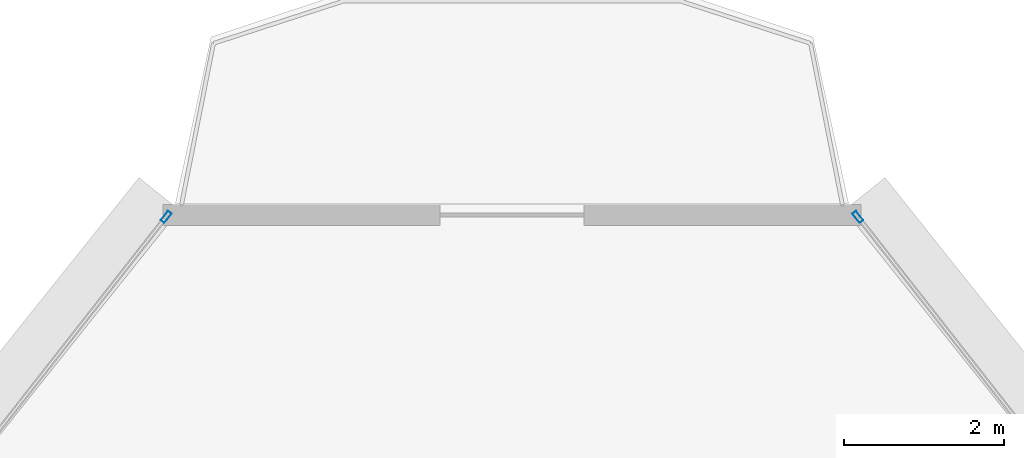
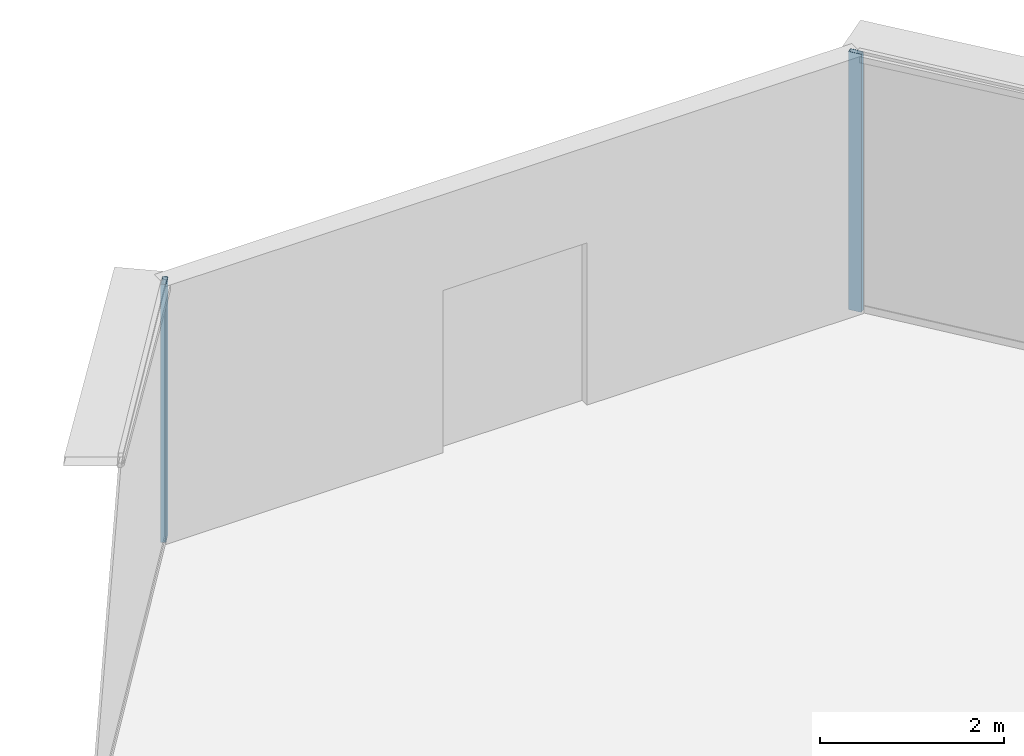
# One storey, part 29 of 40: 2 members, 2 elements without a shape of their own.
"""IFC4 building model written with IfcOpenShell, lengths in metres."""

from ifc_helpers import new_model, si_unit, direction, frame, origin, origin_2d, place, context, subcontext, project, spatial, hollow_rectangle, extrude, source, transform, mapped, material, layer, layer_set, material_profile, profile_set, type_object, element, aggregate, save


model = new_model("IFC4")

# Units and contexts
model_context = context("Model", 3, precision=1e-05, world=origin(), true_north=direction((0.0, 1.0)))
body_context = subcontext(model_context, "Body", "Model", "MODEL_VIEW")
ifc_project = project(units=[si_unit("LENGTHUNIT", "METRE"), si_unit("AREAUNIT", "SQUARE_METRE"), si_unit("VOLUMEUNIT", "CUBIC_METRE"), si_unit("PLANEANGLEUNIT", "RADIAN"), si_unit("MASSUNIT", "GRAM", prefix="KILO"), si_unit("THERMODYNAMICTEMPERATUREUNIT", "KELVIN"), si_unit("POWERUNIT", "WATT")], contexts=[model_context])

# Site, building, storey
site_placement = place(None, origin())
site = spatial("IfcSite", under=ifc_project, at=site_placement, CompositionType="ELEMENT")
building_placement = place(site_placement, origin())
building = spatial("IfcBuilding", under=site, at=building_placement, Name="Yunzhuo Pagoda Commons", CompositionType="ELEMENT")
storey_placement = place(building_placement, frame((0.0, 0.0, 159.27001953125)))
storey = spatial("IfcBuildingStorey", under=building, at=storey_placement, Name="L40", CompositionType="ELEMENT", Elevation=159.27001953125)

# Curtain wall, member
ifc_material = material(Name="Anodized aluminium 6063-T6", Category="aluminium")
ifc_layer = layer(ifc_material, 0.14990234375)
ifc_layer_set = layer_set([ifc_layer], Name="Anodized aluminium 6063-T6")
curtain_wall_type = type_object("IfcCurtainWallType", Name="CW-MID Mid-Zone Ribbon Curtain Wall", PredefinedType="NOTDEFINED", material=ifc_layer_set)
curtain_wall_1_placement = place(storey_placement, origin())
curtain_wall_1 = element("IfcCurtainWall", 1, at=curtain_wall_1_placement, inside=storey, type_object=curtain_wall_type, Name="L40 curtain wall CW-L40-F2B5", PredefinedType="NOTDEFINED")
ifc_material_profile = material_profile(ifc_material, hollow_rectangle(XDim=0.06005859375, YDim=0.14990234375, WallThickness=0.00390625, at=origin_2d()), Name="Anodized aluminium 6063-T6")
ifc_profile_set = profile_set([ifc_material_profile], Name="Anodized aluminium 6063-T6")
member_type = type_object("IfcMemberType", Name="CW-MID-M Mullion RHS 150x60x4", PredefinedType="MULLION", material=ifc_profile_set)
shared_shape = source(origin(), body_context, "Body", "SweptSolid", [
    extrude(hollow_rectangle(XDim=0.06005859375, YDim=0.14990234375, WallThickness=0.00390625, at=origin_2d()), origin(), (0.0, 0.0, 1.0), 3.419677734375),
])
member_1_placement = place(storey_placement, frame((52.33447265625, 84.389404296875, 0.000244140625), z_axis=(0.0, 0.0, 1.0), x_axis=(-0.786759259697, -0.61725996734, 0.0)))
member_1 = element("IfcMember", 2, at=member_1_placement, type_object=member_type, Name="CW mullion 2", PredefinedType="MULLION", context=body_context, shape_type="MappedRepresentation", body=[
    mapped(shared_shape, transform((0.0, 0.0, 0.0), scale=1.0)),
])
aggregate(curtain_wall_1, [member_1])

curtain_wall_2_placement = place(storey_placement, origin())
curtain_wall_2 = element("IfcCurtainWall", 3, at=curtain_wall_2_placement, inside=storey, type_object=curtain_wall_type, Name="L40 curtain wall CW-L40-F3B1", PredefinedType="NOTDEFINED")
member_2_placement = place(storey_placement, frame((43.666015625, 84.389404296875, 0.000244140625), z_axis=(0.0, 0.0, 1.0), x_axis=(0.786759259697, -0.61725996734, 0.0)))
member_2 = element("IfcMember", 4, at=member_2_placement, type_object=member_type, Name="CW mullion 1", PredefinedType="MULLION", context=body_context, shape_type="MappedRepresentation", body=[
    mapped(shared_shape, transform((0.0, 0.0, 0.0), scale=1.0)),
])
aggregate(curtain_wall_2, [member_2])

save(model, "model.ifc")
